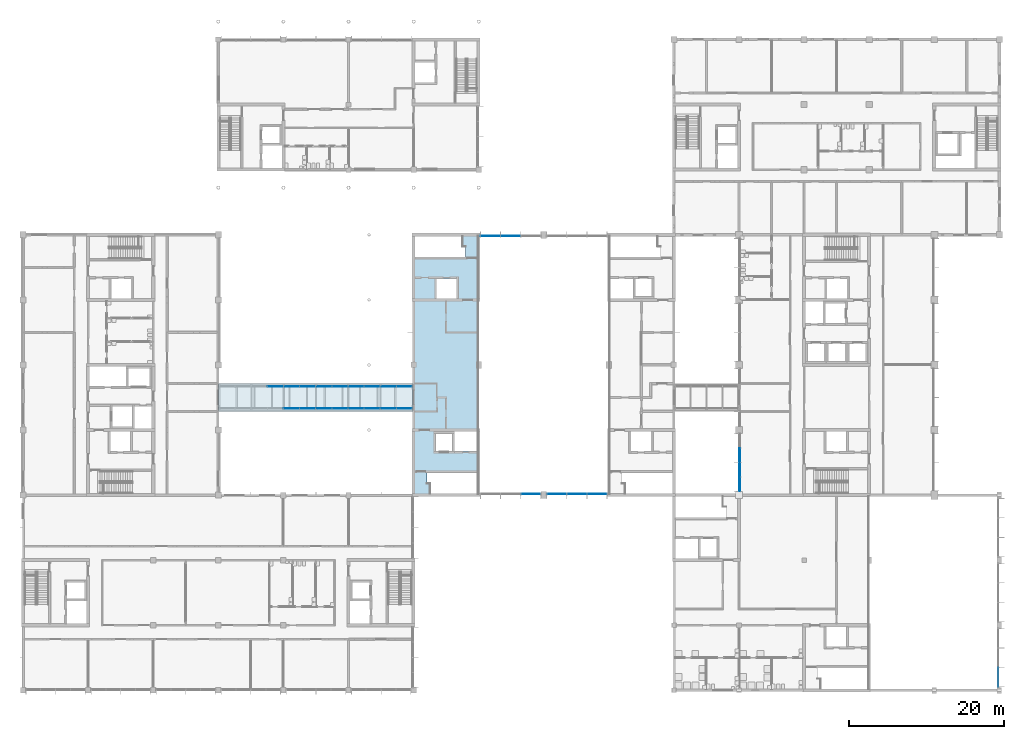
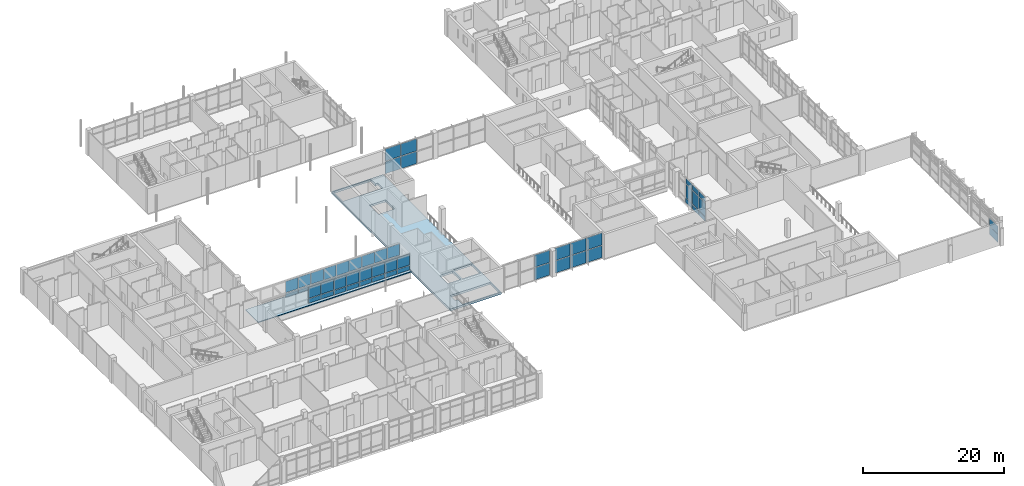
# One storey, part 26 of 70: 57 plates, 2 slabs, 7 elements without a shape of their own.
"""IFC4 building model written with IfcOpenShell, lengths in metres."""

from ifc_helpers import new_model, si_unit, direction, frame, origin, origin_2d, place, context, subcontext, project, spatial, polyline, rectangle, outline, extrude, material, layer, layer_set, type_object, element, aggregate, save


model = new_model("IFC4")

# Units and contexts
model_context = context("Model", 3, precision=1e-05, world=origin(), true_north=direction((0.0, 1.0)))
body_context = subcontext(model_context, "Body", "Model", "MODEL_VIEW")
ifc_project = project(units=[si_unit("LENGTHUNIT", "METRE"), si_unit("AREAUNIT", "SQUARE_METRE"), si_unit("VOLUMEUNIT", "CUBIC_METRE"), si_unit("PLANEANGLEUNIT", "RADIAN"), si_unit("MASSUNIT", "GRAM", prefix="KILO")], contexts=[model_context])

# Site, building, storey
site_placement = place(None, origin())
site = spatial("IfcSite", under=ifc_project, at=site_placement, CompositionType="ELEMENT")
building_placement = place(site_placement, origin())
building = spatial("IfcBuilding", under=site, at=building_placement, Name="Hlaing Beacon Police Headquarters", CompositionType="ELEMENT")
storey_placement = place(building_placement, frame((0.0, 0.0, 5.39990234375)))
storey = spatial("IfcBuildingStorey", under=building, at=storey_placement, Name="L01", CompositionType="ELEMENT", Elevation=5.39990234375)

# Curtain wall, plates
ifc_material_1 = material(Name="Aluminium frame with solar control glazing", Category="aluminium")
curtain_wall_type_1 = type_object("IfcCurtainWallType", Name="Unitised curtain wall 7.50 x 4.37", PredefinedType="NOTDEFINED", material=ifc_material_1)
curtain_wall_1_placement = place(storey_placement, origin())
curtain_wall_1 = element("IfcCurtainWall", 1, at=curtain_wall_1_placement, inside=storey, type_object=curtain_wall_type_1, Name="ENV-CW-L01-W027", PredefinedType="NOTDEFINED")
ifc_material_2 = material(Name="Solar control glazing", Category="glass")
ifc_layer_1 = layer(ifc_material_2, 0.0439453125)
ifc_layer_set_1 = layer_set([ifc_layer_1], Name="Solar control glazing")
plate_type_1 = type_object("IfcPlateType", Name="Clear glazing panel 44", PredefinedType="CURTAIN_PANEL", material=ifc_layer_set_1)
plate_1_placement = place(storey_placement, frame((100.89990234375, 38.737548828125, 0.9501953125), z_axis=(0.0, 0.0, 1.0), x_axis=(0.0, -1.0, 0.0)))
plate_1 = element("IfcPlate", 2, at=plate_1_placement, type_object=plate_type_1, Name="CW-L01-W027 panel 2.2", PredefinedType="CURTAIN_PANEL", context=body_context, shape_type="SweptSolid", body=[
    extrude(rectangle(XDim=1.81494140625, YDim=0.0439453125, at=origin_2d()), origin(), (0.0, 0.0, 1.0), 2.300048828125),
])
plate_2_placement = place(storey_placement, frame((100.89990234375, 35.00244140625, 0.9501953125), z_axis=(0.0, 0.0, 1.0), x_axis=(0.0, -1.0, 0.0)))
plate_2 = element("IfcPlate", 3, at=plate_2_placement, type_object=plate_type_1, Name="CW-L01-W027 panel 4.2", PredefinedType="CURTAIN_PANEL", context=body_context, shape_type="SweptSolid", body=[
    extrude(rectangle(XDim=1.784912109375, YDim=0.0439453125, at=origin_2d()), origin(), (0.0, 0.0, 1.0), 2.300048828125),
])

ifc_material_3 = material(Name="Aluminium frame with solar control glazing", Category="aluminium")
curtain_wall_type_2 = type_object("IfcCurtainWallType", Name="Unitised curtain wall 24.98 x 3.00", PredefinedType="NOTDEFINED", material=ifc_material_3)
curtain_wall_2_placement = place(storey_placement, origin())
curtain_wall_2 = element("IfcCurtainWall", 4, at=curtain_wall_2_placement, inside=storey, type_object=curtain_wall_type_2, Name="ENV-BG-BR1-A-32", PredefinedType="NOTDEFINED")
plate_3_placement = place(storey_placement, frame((43.04052734375, 44.776123046875, 0.9501953125), z_axis=(0.0, 0.0, 1.0), x_axis=(1.0, 0.0, 0.0)))
plate_3 = element("IfcPlate", 5, at=plate_3_placement, type_object=plate_type_1, Name="BG-BR1-A-32 panel 5.2", PredefinedType="CURTAIN_PANEL", context=body_context, shape_type="SweptSolid", body=[
    extrude(rectangle(XDim=2.021240234375, YDim=0.0439453125, at=origin_2d()), origin(), (0.0, 0.0, 1.0), 1.949951171875),
])
plate_4_placement = place(storey_placement, frame((45.121826171875, 44.776123046875, 0.9501953125), z_axis=(0.0, 0.0, 1.0), x_axis=(1.0, 0.0, 0.0)))
plate_4 = element("IfcPlate", 6, at=plate_4_placement, type_object=plate_type_1, Name="BG-BR1-A-32 panel 6.2", PredefinedType="CURTAIN_PANEL", context=body_context, shape_type="SweptSolid", body=[
    extrude(rectangle(XDim=2.021240234375, YDim=0.0439453125, at=origin_2d()), origin(), (0.0, 0.0, 1.0), 1.949951171875),
])
plate_5_placement = place(storey_placement, frame((47.203125, 44.776123046875, 0.9501953125), z_axis=(0.0, 0.0, 1.0), x_axis=(1.0, 0.0, 0.0)))
plate_5 = element("IfcPlate", 7, at=plate_5_placement, type_object=plate_type_1, Name="BG-BR1-A-32 panel 7.2", PredefinedType="CURTAIN_PANEL", context=body_context, shape_type="SweptSolid", body=[
    extrude(rectangle(XDim=2.021240234375, YDim=0.0439453125, at=origin_2d()), origin(), (0.0, 0.0, 1.0), 1.949951171875),
])
plate_6_placement = place(storey_placement, frame((49.284423828125, 44.776123046875, 0.9501953125), z_axis=(0.0, 0.0, 1.0), x_axis=(1.0, 0.0, 0.0)))
plate_6 = element("IfcPlate", 8, at=plate_6_placement, type_object=plate_type_1, Name="BG-BR1-A-32 panel 8.2", PredefinedType="CURTAIN_PANEL", context=body_context, shape_type="SweptSolid", body=[
    extrude(rectangle(XDim=2.021240234375, YDim=0.0439453125, at=origin_2d()), origin(), (0.0, 0.0, 1.0), 1.949951171875),
])
plate_7_placement = place(storey_placement, frame((51.36572265625, 44.776123046875, 0.9501953125), z_axis=(0.0, 0.0, 1.0), x_axis=(1.0, 0.0, 0.0)))
plate_7 = element("IfcPlate", 9, at=plate_7_placement, type_object=plate_type_1, Name="BG-BR1-A-32 panel 9.2", PredefinedType="CURTAIN_PANEL", context=body_context, shape_type="SweptSolid", body=[
    extrude(rectangle(XDim=2.021240234375, YDim=0.0439453125, at=origin_2d()), origin(), (0.0, 0.0, 1.0), 1.949951171875),
])
plate_8_placement = place(storey_placement, frame((53.44677734375, 44.776123046875, 0.9501953125), z_axis=(0.0, 0.0, 1.0), x_axis=(1.0, 0.0, 0.0)))
plate_8 = element("IfcPlate", 10, at=plate_8_placement, type_object=plate_type_1, Name="BG-BR1-A-32 panel 10.2", PredefinedType="CURTAIN_PANEL", context=body_context, shape_type="SweptSolid", body=[
    extrude(rectangle(XDim=2.021240234375, YDim=0.0439453125, at=origin_2d()), origin(), (0.0, 0.0, 1.0), 1.949951171875),
])
plate_9_placement = place(storey_placement, frame((55.528076171875, 44.776123046875, 0.9501953125), z_axis=(0.0, 0.0, 1.0), x_axis=(1.0, 0.0, 0.0)))
plate_9 = element("IfcPlate", 11, at=plate_9_placement, type_object=plate_type_1, Name="BG-BR1-A-32 panel 11.2", PredefinedType="CURTAIN_PANEL", context=body_context, shape_type="SweptSolid", body=[
    extrude(rectangle(XDim=2.021240234375, YDim=0.0439453125, at=origin_2d()), origin(), (0.0, 0.0, 1.0), 1.949951171875),
])
plate_10_placement = place(storey_placement, frame((57.594482421875, 44.776123046875, 0.9501953125), z_axis=(0.0, 0.0, 1.0), x_axis=(1.0, 0.0, 0.0)))
plate_10 = element("IfcPlate", 12, at=plate_10_placement, type_object=plate_type_1, Name="BG-BR1-A-32 panel 12.2", PredefinedType="CURTAIN_PANEL", context=body_context, shape_type="SweptSolid", body=[
    extrude(rectangle(XDim=1.9912109375, YDim=0.0439453125, at=origin_2d()), origin(), (0.0, 0.0, 1.0), 1.949951171875),
])

curtain_wall_3_placement = place(storey_placement, origin())
curtain_wall_3 = element("IfcCurtainWall", 13, at=curtain_wall_3_placement, inside=storey, type_object=curtain_wall_type_2, Name="ENV-BG-BR1-B-33", PredefinedType="NOTDEFINED")
plate_11_placement = place(storey_placement, frame((40.95947265625, 47.623779296875, 0.9501953125), z_axis=(0.0, 0.0, 1.0), x_axis=(1.0, 0.0, 0.0)))
plate_11 = element("IfcPlate", 14, at=plate_11_placement, type_object=plate_type_1, Name="BG-BR1-B-33 panel 4.2", PredefinedType="CURTAIN_PANEL", context=body_context, shape_type="SweptSolid", body=[
    extrude(rectangle(XDim=2.021240234375, YDim=0.0439453125, at=origin_2d()), origin(), (0.0, 0.0, 1.0), 1.949951171875),
])
plate_12_placement = place(storey_placement, frame((43.04052734375, 47.623779296875, 0.9501953125), z_axis=(0.0, 0.0, 1.0), x_axis=(1.0, 0.0, 0.0)))
plate_12 = element("IfcPlate", 15, at=plate_12_placement, type_object=plate_type_1, Name="BG-BR1-B-33 panel 5.2", PredefinedType="CURTAIN_PANEL", context=body_context, shape_type="SweptSolid", body=[
    extrude(rectangle(XDim=2.021240234375, YDim=0.0439453125, at=origin_2d()), origin(), (0.0, 0.0, 1.0), 1.949951171875),
])
plate_13_placement = place(storey_placement, frame((45.121826171875, 47.623779296875, 0.9501953125), z_axis=(0.0, 0.0, 1.0), x_axis=(1.0, 0.0, 0.0)))
plate_13 = element("IfcPlate", 16, at=plate_13_placement, type_object=plate_type_1, Name="BG-BR1-B-33 panel 6.2", PredefinedType="CURTAIN_PANEL", context=body_context, shape_type="SweptSolid", body=[
    extrude(rectangle(XDim=2.021240234375, YDim=0.0439453125, at=origin_2d()), origin(), (0.0, 0.0, 1.0), 1.949951171875),
])
plate_14_placement = place(storey_placement, frame((47.203125, 47.623779296875, 0.9501953125), z_axis=(0.0, 0.0, 1.0), x_axis=(1.0, 0.0, 0.0)))
plate_14 = element("IfcPlate", 17, at=plate_14_placement, type_object=plate_type_1, Name="BG-BR1-B-33 panel 7.2", PredefinedType="CURTAIN_PANEL", context=body_context, shape_type="SweptSolid", body=[
    extrude(rectangle(XDim=2.021240234375, YDim=0.0439453125, at=origin_2d()), origin(), (0.0, 0.0, 1.0), 1.949951171875),
])
plate_15_placement = place(storey_placement, frame((49.284423828125, 47.623779296875, 0.9501953125), z_axis=(0.0, 0.0, 1.0), x_axis=(1.0, 0.0, 0.0)))
plate_15 = element("IfcPlate", 18, at=plate_15_placement, type_object=plate_type_1, Name="BG-BR1-B-33 panel 8.2", PredefinedType="CURTAIN_PANEL", context=body_context, shape_type="SweptSolid", body=[
    extrude(rectangle(XDim=2.021240234375, YDim=0.0439453125, at=origin_2d()), origin(), (0.0, 0.0, 1.0), 1.949951171875),
])
plate_16_placement = place(storey_placement, frame((51.36572265625, 47.623779296875, 0.9501953125), z_axis=(0.0, 0.0, 1.0), x_axis=(1.0, 0.0, 0.0)))
plate_16 = element("IfcPlate", 19, at=plate_16_placement, type_object=plate_type_1, Name="BG-BR1-B-33 panel 9.2", PredefinedType="CURTAIN_PANEL", context=body_context, shape_type="SweptSolid", body=[
    extrude(rectangle(XDim=2.021240234375, YDim=0.0439453125, at=origin_2d()), origin(), (0.0, 0.0, 1.0), 1.949951171875),
])
plate_17_placement = place(storey_placement, frame((53.44677734375, 47.623779296875, 0.9501953125), z_axis=(0.0, 0.0, 1.0), x_axis=(1.0, 0.0, 0.0)))
plate_17 = element("IfcPlate", 20, at=plate_17_placement, type_object=plate_type_1, Name="BG-BR1-B-33 panel 10.2", PredefinedType="CURTAIN_PANEL", context=body_context, shape_type="SweptSolid", body=[
    extrude(rectangle(XDim=2.021240234375, YDim=0.0439453125, at=origin_2d()), origin(), (0.0, 0.0, 1.0), 1.949951171875),
])
plate_18_placement = place(storey_placement, frame((55.528076171875, 47.623779296875, 0.9501953125), z_axis=(0.0, 0.0, 1.0), x_axis=(1.0, 0.0, 0.0)))
plate_18 = element("IfcPlate", 21, at=plate_18_placement, type_object=plate_type_1, Name="BG-BR1-B-33 panel 11.2", PredefinedType="CURTAIN_PANEL", context=body_context, shape_type="SweptSolid", body=[
    extrude(rectangle(XDim=2.021240234375, YDim=0.0439453125, at=origin_2d()), origin(), (0.0, 0.0, 1.0), 1.949951171875),
])
plate_19_placement = place(storey_placement, frame((57.594482421875, 47.623779296875, 0.9501953125), z_axis=(0.0, 0.0, 1.0), x_axis=(1.0, 0.0, 0.0)))
plate_19 = element("IfcPlate", 22, at=plate_19_placement, type_object=plate_type_1, Name="BG-BR1-B-33 panel 12.2", PredefinedType="CURTAIN_PANEL", context=body_context, shape_type="SweptSolid", body=[
    extrude(rectangle(XDim=1.9912109375, YDim=0.0439453125, at=origin_2d()), origin(), (0.0, 0.0, 1.0), 1.949951171875),
])

# Slabs
ifc_material_4 = material(Name="Concrete C40/50", Category="concrete")
ifc_layer_2 = layer(ifc_material_4, 0.1298828125)
ifc_layer_set_2 = layer_set([ifc_layer_2], Name="Concrete C40/50")
slab_type_1 = type_object("IfcSlabType", Name="Composite deck slab 130", PredefinedType="FLOOR", material=ifc_layer_set_2)
slab_1_placement = place(storey_placement, frame((0.0, 0.0, -0.1298828125)))
element("IfcSlab", 23, at=slab_1_placement, inside=storey, type_object=slab_type_1, Name="STR-BG-BR1-DECK", PredefinedType="FLOOR", context=body_context, shape_type="SweptSolid", body=[
    extrude(outline(polyline([(33.60009765625, 44.39990234375), (58.699951171875, 44.39990234375), (58.699951171875, 48.0), (33.60009765625, 48.0), (33.60009765625, 44.39990234375)])), origin(), (0.0, 0.0, 1.0), 0.1298828125),
])
ifc_material_5 = material(Name="Concrete C50/60", Category="concrete")
ifc_layer_3 = layer(ifc_material_5, 0.35009765625)
ifc_layer_set_3 = layer_set([ifc_layer_3], Name="Concrete C50/60")
slab_type_2 = type_object("IfcSlabType", Name="Flat slab 350", PredefinedType="FLOOR", material=ifc_layer_set_3)
slab_2_placement = place(storey_placement, frame((0.0, 0.0, -0.349853515625)))
element("IfcSlab", 24, at=slab_2_placement, inside=storey, type_object=slab_type_2, Name="STR-SLAB-L01-03", PredefinedType="FLOOR", context=body_context, shape_type="SweptSolid", body=[
    extrude(outline(polyline([(58.800048828125, 33.60009765625), (67.199951171875, 33.60009765625), (67.199951171875, 67.199951171875), (58.800048828125, 67.199951171875), (58.800048828125, 33.60009765625)]), holes=[polyline([(59.0, 64.300048828125), (65.489990234375, 64.300048828125), (65.489990234375, 65.699951171875), (65.10009765625, 65.699951171875), (65.10009765625, 67.0), (59.0, 67.0), (59.0, 64.300048828125)]), polyline([(60.89990234375, 33.800048828125), (67.0, 33.800048828125), (67.0, 36.5), (60.510009765625, 36.5), (60.510009765625, 35.10009765625), (60.89990234375, 35.10009765625), (60.89990234375, 33.800048828125)]), polyline([(61.64990234375, 39.25), (63.800048828125, 39.25), (63.800048828125, 41.550048828125), (61.64990234375, 41.550048828125), (61.64990234375, 39.25)]), polyline([(61.75, 59.0), (64.35009765625, 59.0), (64.35009765625, 61.550048828125), (61.75, 61.550048828125), (61.75, 59.0)]), polyline([(64.050048828125, 39.25), (67.0, 39.25), (67.0, 41.800048828125), (64.050048828125, 41.800048828125), (64.050048828125, 39.25)])]), origin(), (0.0, 0.0, 1.0), 0.349853515625),
])

# Plate
ifc_material_6 = material(Name="Fritted solar control glazing", Category="glass")
ifc_layer_4 = layer(ifc_material_6, 0.0439453125)
ifc_layer_set_4 = layer_set([ifc_layer_4], Name="Fritted solar control glazing")
plate_type_2 = type_object("IfcPlateType", Name="Fritted glazing panel 44", PredefinedType="CURTAIN_PANEL", material=ifc_layer_set_4)
plate_20_placement = place(storey_placement, frame((100.89990234375, 36.862548828125, 0.9501953125), z_axis=(0.0, 0.0, 1.0), x_axis=(0.0, -1.0, 0.0)))
plate_20 = element("IfcPlate", 25, at=plate_20_placement, type_object=plate_type_2, Name="CW-L01-W027 panel 3.2", PredefinedType="CURTAIN_PANEL", context=body_context, shape_type="SweptSolid", body=[
    extrude(rectangle(XDim=1.81494140625, YDim=0.0439453125, at=origin_2d()), origin(), (0.0, 0.0, 1.0), 2.300048828125),
])

ifc_material_7 = material(Name="Insulated aluminium spandrel", Category="aluminium")
ifc_layer_5 = layer(ifc_material_7, 0.0400390625)
ifc_layer_set_5 = layer_set([ifc_layer_5], Name="Insulated aluminium spandrel")
plate_type_3 = type_object("IfcPlateType", Name="Insulated spandrel panel 40", PredefinedType="CURTAIN_PANEL", material=ifc_layer_set_5)
plate_21_placement = place(storey_placement, frame((40.95947265625, 47.623779296875, 0.10009765625), z_axis=(0.0, 0.0, 1.0), x_axis=(1.0, 0.0, 0.0)))
plate_21 = element("IfcPlate", 26, at=plate_21_placement, type_object=plate_type_3, Name="BG-BR1-B-33 panel 4.1", PredefinedType="CURTAIN_PANEL", context=body_context, shape_type="SweptSolid", body=[
    extrude(rectangle(XDim=2.021240234375, YDim=0.0400390625, at=origin_2d()), origin(), (0.0, 0.0, 1.0), 0.75),
])

plate_22_placement = place(storey_placement, frame((43.04052734375, 47.623779296875, 0.10009765625), z_axis=(0.0, 0.0, 1.0), x_axis=(1.0, 0.0, 0.0)))
plate_22 = element("IfcPlate", 27, at=plate_22_placement, type_object=plate_type_3, Name="BG-BR1-B-33 panel 5.1", PredefinedType="CURTAIN_PANEL", context=body_context, shape_type="SweptSolid", body=[
    extrude(rectangle(XDim=2.021240234375, YDim=0.0400390625, at=origin_2d()), origin(), (0.0, 0.0, 1.0), 0.75),
])

plate_23_placement = place(storey_placement, frame((45.121826171875, 47.623779296875, 0.10009765625), z_axis=(0.0, 0.0, 1.0), x_axis=(1.0, 0.0, 0.0)))
plate_23 = element("IfcPlate", 28, at=plate_23_placement, type_object=plate_type_3, Name="BG-BR1-B-33 panel 6.1", PredefinedType="CURTAIN_PANEL", context=body_context, shape_type="SweptSolid", body=[
    extrude(rectangle(XDim=2.021240234375, YDim=0.0400390625, at=origin_2d()), origin(), (0.0, 0.0, 1.0), 0.75),
])

plate_24_placement = place(storey_placement, frame((47.203125, 47.623779296875, 0.10009765625), z_axis=(0.0, 0.0, 1.0), x_axis=(1.0, 0.0, 0.0)))
plate_24 = element("IfcPlate", 29, at=plate_24_placement, type_object=plate_type_3, Name="BG-BR1-B-33 panel 7.1", PredefinedType="CURTAIN_PANEL", context=body_context, shape_type="SweptSolid", body=[
    extrude(rectangle(XDim=2.021240234375, YDim=0.0400390625, at=origin_2d()), origin(), (0.0, 0.0, 1.0), 0.75),
])

plate_25_placement = place(storey_placement, frame((49.284423828125, 47.623779296875, 0.10009765625), z_axis=(0.0, 0.0, 1.0), x_axis=(1.0, 0.0, 0.0)))
plate_25 = element("IfcPlate", 30, at=plate_25_placement, type_object=plate_type_3, Name="BG-BR1-B-33 panel 8.1", PredefinedType="CURTAIN_PANEL", context=body_context, shape_type="SweptSolid", body=[
    extrude(rectangle(XDim=2.021240234375, YDim=0.0400390625, at=origin_2d()), origin(), (0.0, 0.0, 1.0), 0.75),
])

plate_26_placement = place(storey_placement, frame((51.36572265625, 47.623779296875, 0.10009765625), z_axis=(0.0, 0.0, 1.0), x_axis=(1.0, 0.0, 0.0)))
plate_26 = element("IfcPlate", 31, at=plate_26_placement, type_object=plate_type_3, Name="BG-BR1-B-33 panel 9.1", PredefinedType="CURTAIN_PANEL", context=body_context, shape_type="SweptSolid", body=[
    extrude(rectangle(XDim=2.021240234375, YDim=0.0400390625, at=origin_2d()), origin(), (0.0, 0.0, 1.0), 0.75),
])

plate_27_placement = place(storey_placement, frame((53.44677734375, 47.623779296875, 0.10009765625), z_axis=(0.0, 0.0, 1.0), x_axis=(1.0, 0.0, 0.0)))
plate_27 = element("IfcPlate", 32, at=plate_27_placement, type_object=plate_type_3, Name="BG-BR1-B-33 panel 10.1", PredefinedType="CURTAIN_PANEL", context=body_context, shape_type="SweptSolid", body=[
    extrude(rectangle(XDim=2.021240234375, YDim=0.0400390625, at=origin_2d()), origin(), (0.0, 0.0, 1.0), 0.75),
])

plate_28_placement = place(storey_placement, frame((55.528076171875, 47.623779296875, 0.10009765625), z_axis=(0.0, 0.0, 1.0), x_axis=(1.0, 0.0, 0.0)))
plate_28 = element("IfcPlate", 33, at=plate_28_placement, type_object=plate_type_3, Name="BG-BR1-B-33 panel 11.1", PredefinedType="CURTAIN_PANEL", context=body_context, shape_type="SweptSolid", body=[
    extrude(rectangle(XDim=2.021240234375, YDim=0.0400390625, at=origin_2d()), origin(), (0.0, 0.0, 1.0), 0.75),
])

plate_29_placement = place(storey_placement, frame((57.594482421875, 47.623779296875, 0.10009765625), z_axis=(0.0, 0.0, 1.0), x_axis=(1.0, 0.0, 0.0)))
plate_29 = element("IfcPlate", 34, at=plate_29_placement, type_object=plate_type_3, Name="BG-BR1-B-33 panel 12.1", PredefinedType="CURTAIN_PANEL", context=body_context, shape_type="SweptSolid", body=[
    extrude(rectangle(XDim=1.9912109375, YDim=0.0400390625, at=origin_2d()), origin(), (0.0, 0.0, 1.0), 0.75),
])

aggregate(curtain_wall_3, [plate_21, plate_11, plate_22, plate_12, plate_23, plate_13, plate_24, plate_14, plate_25, plate_15, plate_26, plate_16, plate_27, plate_17, plate_28, plate_18, plate_29, plate_19])

ifc_material_8 = material(Name="Insulated aluminium spandrel", Category="aluminium")
ifc_layer_6 = layer(ifc_material_8, 0.080078125)
ifc_layer_set_6 = layer_set([ifc_layer_6], Name="Insulated aluminium spandrel")
plate_type_4 = type_object("IfcPlateType", Name="Insulated spandrel panel 80", PredefinedType="CURTAIN_PANEL", material=ifc_layer_set_6)
plate_30_placement = place(storey_placement, frame((100.89990234375, 38.737548828125, 0.10009765625), z_axis=(0.0, 0.0, 1.0), x_axis=(0.0, -1.0, 0.0)))
plate_30 = element("IfcPlate", 35, at=plate_30_placement, type_object=plate_type_4, Name="CW-L01-W027 panel 2.1", PredefinedType="CURTAIN_PANEL", context=body_context, shape_type="SweptSolid", body=[
    extrude(rectangle(XDim=1.81494140625, YDim=0.080078125, at=origin_2d()), origin(), (0.0, 0.0, 1.0), 0.75),
])

plate_31_placement = place(storey_placement, frame((100.89990234375, 36.862548828125, 0.10009765625), z_axis=(0.0, 0.0, 1.0), x_axis=(0.0, -1.0, 0.0)))
plate_31 = element("IfcPlate", 36, at=plate_31_placement, type_object=plate_type_4, Name="CW-L01-W027 panel 3.1", PredefinedType="CURTAIN_PANEL", context=body_context, shape_type="SweptSolid", body=[
    extrude(rectangle(XDim=1.81494140625, YDim=0.080078125, at=origin_2d()), origin(), (0.0, 0.0, 1.0), 0.75),
])

plate_32_placement = place(storey_placement, frame((100.89990234375, 35.00244140625, 0.10009765625), z_axis=(0.0, 0.0, 1.0), x_axis=(0.0, -1.0, 0.0)))
plate_32 = element("IfcPlate", 37, at=plate_32_placement, type_object=plate_type_4, Name="CW-L01-W027 panel 4.1", PredefinedType="CURTAIN_PANEL", context=body_context, shape_type="SweptSolid", body=[
    extrude(rectangle(XDim=1.784912109375, YDim=0.080078125, at=origin_2d()), origin(), (0.0, 0.0, 1.0), 0.75),
])

plate_33_placement = place(storey_placement, frame((43.04052734375, 44.776123046875, 0.10009765625), z_axis=(0.0, 0.0, 1.0), x_axis=(1.0, 0.0, 0.0)))
plate_33 = element("IfcPlate", 38, at=plate_33_placement, type_object=plate_type_4, Name="BG-BR1-A-32 panel 5.1", PredefinedType="CURTAIN_PANEL", context=body_context, shape_type="SweptSolid", body=[
    extrude(rectangle(XDim=2.021240234375, YDim=0.080078125, at=origin_2d()), origin(), (0.0, 0.0, 1.0), 0.75),
])

plate_34_placement = place(storey_placement, frame((45.121826171875, 44.776123046875, 0.10009765625), z_axis=(0.0, 0.0, 1.0), x_axis=(1.0, 0.0, 0.0)))
plate_34 = element("IfcPlate", 39, at=plate_34_placement, type_object=plate_type_4, Name="BG-BR1-A-32 panel 6.1", PredefinedType="CURTAIN_PANEL", context=body_context, shape_type="SweptSolid", body=[
    extrude(rectangle(XDim=2.021240234375, YDim=0.080078125, at=origin_2d()), origin(), (0.0, 0.0, 1.0), 0.75),
])

plate_35_placement = place(storey_placement, frame((47.203125, 44.776123046875, 0.10009765625), z_axis=(0.0, 0.0, 1.0), x_axis=(1.0, 0.0, 0.0)))
plate_35 = element("IfcPlate", 40, at=plate_35_placement, type_object=plate_type_4, Name="BG-BR1-A-32 panel 7.1", PredefinedType="CURTAIN_PANEL", context=body_context, shape_type="SweptSolid", body=[
    extrude(rectangle(XDim=2.021240234375, YDim=0.080078125, at=origin_2d()), origin(), (0.0, 0.0, 1.0), 0.75),
])

plate_36_placement = place(storey_placement, frame((49.284423828125, 44.776123046875, 0.10009765625), z_axis=(0.0, 0.0, 1.0), x_axis=(1.0, 0.0, 0.0)))
plate_36 = element("IfcPlate", 41, at=plate_36_placement, type_object=plate_type_4, Name="BG-BR1-A-32 panel 8.1", PredefinedType="CURTAIN_PANEL", context=body_context, shape_type="SweptSolid", body=[
    extrude(rectangle(XDim=2.021240234375, YDim=0.080078125, at=origin_2d()), origin(), (0.0, 0.0, 1.0), 0.75),
])

plate_37_placement = place(storey_placement, frame((51.36572265625, 44.776123046875, 0.10009765625), z_axis=(0.0, 0.0, 1.0), x_axis=(1.0, 0.0, 0.0)))
plate_37 = element("IfcPlate", 42, at=plate_37_placement, type_object=plate_type_4, Name="BG-BR1-A-32 panel 9.1", PredefinedType="CURTAIN_PANEL", context=body_context, shape_type="SweptSolid", body=[
    extrude(rectangle(XDim=2.021240234375, YDim=0.080078125, at=origin_2d()), origin(), (0.0, 0.0, 1.0), 0.75),
])

plate_38_placement = place(storey_placement, frame((53.44677734375, 44.776123046875, 0.10009765625), z_axis=(0.0, 0.0, 1.0), x_axis=(1.0, 0.0, 0.0)))
plate_38 = element("IfcPlate", 43, at=plate_38_placement, type_object=plate_type_4, Name="BG-BR1-A-32 panel 10.1", PredefinedType="CURTAIN_PANEL", context=body_context, shape_type="SweptSolid", body=[
    extrude(rectangle(XDim=2.021240234375, YDim=0.080078125, at=origin_2d()), origin(), (0.0, 0.0, 1.0), 0.75),
])

plate_39_placement = place(storey_placement, frame((55.528076171875, 44.776123046875, 0.10009765625), z_axis=(0.0, 0.0, 1.0), x_axis=(1.0, 0.0, 0.0)))
plate_39 = element("IfcPlate", 44, at=plate_39_placement, type_object=plate_type_4, Name="BG-BR1-A-32 panel 11.1", PredefinedType="CURTAIN_PANEL", context=body_context, shape_type="SweptSolid", body=[
    extrude(rectangle(XDim=2.021240234375, YDim=0.080078125, at=origin_2d()), origin(), (0.0, 0.0, 1.0), 0.75),
])

plate_40_placement = place(storey_placement, frame((57.594482421875, 44.776123046875, 0.10009765625), z_axis=(0.0, 0.0, 1.0), x_axis=(1.0, 0.0, 0.0)))
plate_40 = element("IfcPlate", 45, at=plate_40_placement, type_object=plate_type_4, Name="BG-BR1-A-32 panel 12.1", PredefinedType="CURTAIN_PANEL", context=body_context, shape_type="SweptSolid", body=[
    extrude(rectangle(XDim=1.9912109375, YDim=0.080078125, at=origin_2d()), origin(), (0.0, 0.0, 1.0), 0.75),
])

aggregate(curtain_wall_2, [plate_33, plate_3, plate_34, plate_4, plate_35, plate_5, plate_36, plate_6, plate_37, plate_7, plate_38, plate_8, plate_39, plate_9, plate_40, plate_10])

# Curtain wall, plates
ifc_material_9 = material(Name="Aluminium frame with solar control glazing", Category="aluminium")
curtain_wall_type_3 = type_object("IfcCurtainWallType", Name="Structural glazed gable wall 7.60 x 3.00", PredefinedType="NOTDEFINED", material=ifc_material_9)
curtain_wall_4_placement = place(storey_placement, origin())
curtain_wall_4 = element("IfcCurtainWall", 46, at=curtain_wall_4_placement, inside=storey, type_object=curtain_wall_type_3, Name="ENV-CW-L01-E001", PredefinedType="NOTDEFINED")
ifc_material_10 = material(Name="Laminated solar control glazing", Category="glass")
ifc_layer_7 = layer(ifc_material_10, 0.031982421875)
ifc_layer_set_7 = layer_set([ifc_layer_7], Name="Laminated solar control glazing")
plate_type_5 = type_object("IfcPlateType", Name="Laminated glazing panel 32", PredefinedType="CURTAIN_PANEL", material=ifc_layer_set_7)
plate_41_placement = place(storey_placement, frame((134.25, 10.086669921875, 0.10009765625), z_axis=(0.0, 0.0, 1.0), x_axis=(0.0, 1.0, 0.0)))
plate_41 = element("IfcPlate", 47, at=plate_41_placement, type_object=plate_type_5, Name="CW-L01-E001 panel 1.1", PredefinedType="CURTAIN_PANEL", context=body_context, shape_type="SweptSolid", body=[
    extrude(rectangle(XDim=2.413330078125, YDim=0.031982421875, at=origin_2d()), origin(), (0.0, 0.0, 1.0), 1.35009765625),
])
plate_42_placement = place(storey_placement, frame((134.25, 10.086669921875, 1.550048828125), z_axis=(0.0, 0.0, 1.0), x_axis=(0.0, 1.0, 0.0)))
plate_42 = element("IfcPlate", 48, at=plate_42_placement, type_object=plate_type_5, Name="CW-L01-E001 panel 1.2", PredefinedType="CURTAIN_PANEL", context=body_context, shape_type="SweptSolid", body=[
    extrude(rectangle(XDim=2.413330078125, YDim=0.031982421875, at=origin_2d()), origin(), (0.0, 0.0, 1.0), 1.35009765625),
])
aggregate(curtain_wall_4, [plate_41, plate_42])

ifc_material_11 = material(Name="Aluminium frame with solar control glazing", Category="aluminium")
curtain_wall_type_4 = type_object("IfcCurtainWallType", Name="Structural glazed gable wall 7.85 x 4.50", PredefinedType="NOTDEFINED", material=ifc_material_11)
curtain_wall_5_placement = place(storey_placement, origin())
curtain_wall_5 = element("IfcCurtainWall", 49, at=curtain_wall_5_placement, inside=storey, type_object=curtain_wall_type_4, Name="ENV-CW-L01-N008", PredefinedType="NOTDEFINED")
ifc_material_12 = material(Name="Laminated solar control glazing", Category="glass")
ifc_layer_8 = layer(ifc_material_12, 0.0439453125)
ifc_layer_set_8 = layer_set([ifc_layer_8], Name="Laminated solar control glazing")
plate_type_6 = type_object("IfcPlateType", Name="Laminated glazing panel 44", PredefinedType="CURTAIN_PANEL", material=ifc_layer_set_8)
plate_43_placement = place(storey_placement, frame((71.324951171875, 67.050048828125, 0.10009765625), z_axis=(0.0, 0.0, 1.0), x_axis=(-1.0, 0.0, 0.0)))
plate_43 = element("IfcPlate", 50, at=plate_43_placement, type_object=plate_type_6, Name="CW-L01-N008 panel 2.1", PredefinedType="CURTAIN_PANEL", context=body_context, shape_type="SweptSolid", body=[
    extrude(rectangle(XDim=2.53662109375, YDim=0.0439453125, at=origin_2d()), origin(), (0.0, 0.0, 1.0), 2.10009765625),
])
plate_44_placement = place(storey_placement, frame((71.324951171875, 67.050048828125, 2.300048828125), z_axis=(0.0, 0.0, 1.0), x_axis=(-1.0, 0.0, 0.0)))
plate_44 = element("IfcPlate", 51, at=plate_44_placement, type_object=plate_type_6, Name="CW-L01-N008 panel 2.2", PredefinedType="CURTAIN_PANEL", context=body_context, shape_type="SweptSolid", body=[
    extrude(rectangle(XDim=2.53662109375, YDim=0.0439453125, at=origin_2d()), origin(), (0.0, 0.0, 1.0), 2.10009765625),
])
plate_45_placement = place(storey_placement, frame((68.728271484375, 67.050048828125, 0.10009765625), z_axis=(0.0, 0.0, 1.0), x_axis=(-1.0, 0.0, 0.0)))
plate_45 = element("IfcPlate", 52, at=plate_45_placement, type_object=plate_type_6, Name="CW-L01-N008 panel 3.1", PredefinedType="CURTAIN_PANEL", context=body_context, shape_type="SweptSolid", body=[
    extrude(rectangle(XDim=2.49658203125, YDim=0.0439453125, at=origin_2d()), origin(), (0.0, 0.0, 1.0), 2.10009765625),
])
plate_46_placement = place(storey_placement, frame((68.728271484375, 67.050048828125, 2.300048828125), z_axis=(0.0, 0.0, 1.0), x_axis=(-1.0, 0.0, 0.0)))
plate_46 = element("IfcPlate", 53, at=plate_46_placement, type_object=plate_type_6, Name="CW-L01-N008 panel 3.2", PredefinedType="CURTAIN_PANEL", context=body_context, shape_type="SweptSolid", body=[
    extrude(rectangle(XDim=2.49658203125, YDim=0.0439453125, at=origin_2d()), origin(), (0.0, 0.0, 1.0), 2.10009765625),
])
aggregate(curtain_wall_5, [plate_43, plate_44, plate_45, plate_46])

curtain_wall_6_placement = place(storey_placement, origin())
curtain_wall_6 = element("IfcCurtainWall", 54, at=curtain_wall_6_placement, inside=storey, type_object=curtain_wall_type_4, Name="ENV-CW-L01-S009", PredefinedType="NOTDEFINED")
plate_47_placement = place(storey_placement, frame((73.921630859375, 33.75, 0.10009765625), z_axis=(0.0, 0.0, 1.0), x_axis=(1.0, 0.0, 0.0)))
plate_47 = element("IfcPlate", 55, at=plate_47_placement, type_object=plate_type_6, Name="CW-L01-S009 panel 3.1", PredefinedType="CURTAIN_PANEL", context=body_context, shape_type="SweptSolid", body=[
    extrude(rectangle(XDim=2.49658203125, YDim=0.0439453125, at=origin_2d()), origin(), (0.0, 0.0, 1.0), 2.10009765625),
])
plate_48_placement = place(storey_placement, frame((73.921630859375, 33.75, 2.300048828125), z_axis=(0.0, 0.0, 1.0), x_axis=(1.0, 0.0, 0.0)))
plate_48 = element("IfcPlate", 56, at=plate_48_placement, type_object=plate_type_6, Name="CW-L01-S009 panel 3.2", PredefinedType="CURTAIN_PANEL", context=body_context, shape_type="SweptSolid", body=[
    extrude(rectangle(XDim=2.49658203125, YDim=0.0439453125, at=origin_2d()), origin(), (0.0, 0.0, 1.0), 2.10009765625),
])
aggregate(curtain_wall_6, [plate_47, plate_48])

curtain_wall_7_placement = place(storey_placement, origin())
curtain_wall_7 = element("IfcCurtainWall", 57, at=curtain_wall_7_placement, inside=storey, type_object=curtain_wall_type_4, Name="ENV-CW-L01-S010", PredefinedType="NOTDEFINED")
plate_49_placement = place(storey_placement, frame((77.2783203125, 33.75, 0.10009765625), z_axis=(0.0, 0.0, 1.0), x_axis=(1.0, 0.0, 0.0)))
plate_49 = element("IfcPlate", 58, at=plate_49_placement, type_object=plate_type_6, Name="CW-L01-S010 panel 1.1", PredefinedType="CURTAIN_PANEL", context=body_context, shape_type="SweptSolid", body=[
    extrude(rectangle(XDim=2.49658203125, YDim=0.0439453125, at=origin_2d()), origin(), (0.0, 0.0, 1.0), 2.10009765625),
])
plate_50_placement = place(storey_placement, frame((77.2783203125, 33.75, 2.300048828125), z_axis=(0.0, 0.0, 1.0), x_axis=(1.0, 0.0, 0.0)))
plate_50 = element("IfcPlate", 59, at=plate_50_placement, type_object=plate_type_6, Name="CW-L01-S010 panel 1.2", PredefinedType="CURTAIN_PANEL", context=body_context, shape_type="SweptSolid", body=[
    extrude(rectangle(XDim=2.49658203125, YDim=0.0439453125, at=origin_2d()), origin(), (0.0, 0.0, 1.0), 2.10009765625),
])
plate_51_placement = place(storey_placement, frame((79.875, 33.75, 0.10009765625), z_axis=(0.0, 0.0, 1.0), x_axis=(1.0, 0.0, 0.0)))
plate_51 = element("IfcPlate", 60, at=plate_51_placement, type_object=plate_type_6, Name="CW-L01-S010 panel 2.1", PredefinedType="CURTAIN_PANEL", context=body_context, shape_type="SweptSolid", body=[
    extrude(rectangle(XDim=2.53662109375, YDim=0.0439453125, at=origin_2d()), origin(), (0.0, 0.0, 1.0), 2.10009765625),
])
plate_52_placement = place(storey_placement, frame((79.875, 33.75, 2.300048828125), z_axis=(0.0, 0.0, 1.0), x_axis=(1.0, 0.0, 0.0)))
plate_52 = element("IfcPlate", 61, at=plate_52_placement, type_object=plate_type_6, Name="CW-L01-S010 panel 2.2", PredefinedType="CURTAIN_PANEL", context=body_context, shape_type="SweptSolid", body=[
    extrude(rectangle(XDim=2.53662109375, YDim=0.0439453125, at=origin_2d()), origin(), (0.0, 0.0, 1.0), 2.10009765625),
])
plate_53_placement = place(storey_placement, frame((82.4716796875, 33.75, 0.10009765625), z_axis=(0.0, 0.0, 1.0), x_axis=(1.0, 0.0, 0.0)))
plate_53 = element("IfcPlate", 62, at=plate_53_placement, type_object=plate_type_6, Name="CW-L01-S010 panel 3.1", PredefinedType="CURTAIN_PANEL", context=body_context, shape_type="SweptSolid", body=[
    extrude(rectangle(XDim=2.49658203125, YDim=0.0439453125, at=origin_2d()), origin(), (0.0, 0.0, 1.0), 2.10009765625),
])
plate_54_placement = place(storey_placement, frame((82.4716796875, 33.75, 2.300048828125), z_axis=(0.0, 0.0, 1.0), x_axis=(1.0, 0.0, 0.0)))
plate_54 = element("IfcPlate", 63, at=plate_54_placement, type_object=plate_type_6, Name="CW-L01-S010 panel 3.2", PredefinedType="CURTAIN_PANEL", context=body_context, shape_type="SweptSolid", body=[
    extrude(rectangle(XDim=2.49658203125, YDim=0.0439453125, at=origin_2d()), origin(), (0.0, 0.0, 1.0), 2.10009765625),
])
aggregate(curtain_wall_7, [plate_49, plate_50, plate_51, plate_52, plate_53, plate_54])

# Plate
ifc_material_13 = material(Name="Perforated aluminium", Category="aluminium")
ifc_layer_9 = layer(ifc_material_13, 0.00390625)
ifc_layer_set_9 = layer_set([ifc_layer_9], Name="Perforated aluminium")
plate_type_7 = type_object("IfcPlateType", Name="Perforated aluminium vent panel 4", PredefinedType="CURTAIN_PANEL", material=ifc_layer_set_9)
plate_55_placement = place(storey_placement, frame((100.89990234375, 38.737548828125, 3.35009765625), z_axis=(0.0, 0.0, 1.0), x_axis=(0.0, -1.0, 0.0)))
plate_55 = element("IfcPlate", 64, at=plate_55_placement, type_object=plate_type_7, Name="CW-L01-W027 panel 2.3", PredefinedType="CURTAIN_PANEL", context=body_context, shape_type="SweptSolid", body=[
    extrude(rectangle(XDim=1.81494140625, YDim=0.00390625, at=origin_2d()), origin(), (0.0, 0.0, 1.0), 0.919921875),
])

plate_56_placement = place(storey_placement, frame((100.89990234375, 36.862548828125, 3.35009765625), z_axis=(0.0, 0.0, 1.0), x_axis=(0.0, -1.0, 0.0)))
plate_56 = element("IfcPlate", 65, at=plate_56_placement, type_object=plate_type_7, Name="CW-L01-W027 panel 3.3", PredefinedType="CURTAIN_PANEL", context=body_context, shape_type="SweptSolid", body=[
    extrude(rectangle(XDim=1.81494140625, YDim=0.00390625, at=origin_2d()), origin(), (0.0, 0.0, 1.0), 0.919921875),
])

plate_57_placement = place(storey_placement, frame((100.89990234375, 35.00244140625, 3.35009765625), z_axis=(0.0, 0.0, 1.0), x_axis=(0.0, -1.0, 0.0)))
plate_57 = element("IfcPlate", 66, at=plate_57_placement, type_object=plate_type_7, Name="CW-L01-W027 panel 4.3", PredefinedType="CURTAIN_PANEL", context=body_context, shape_type="SweptSolid", body=[
    extrude(rectangle(XDim=1.784912109375, YDim=0.00390625, at=origin_2d()), origin(), (0.0, 0.0, 1.0), 0.919921875),
])

aggregate(curtain_wall_1, [plate_30, plate_1, plate_55, plate_31, plate_20, plate_56, plate_32, plate_2, plate_57])

save(model, "model.ifc")
